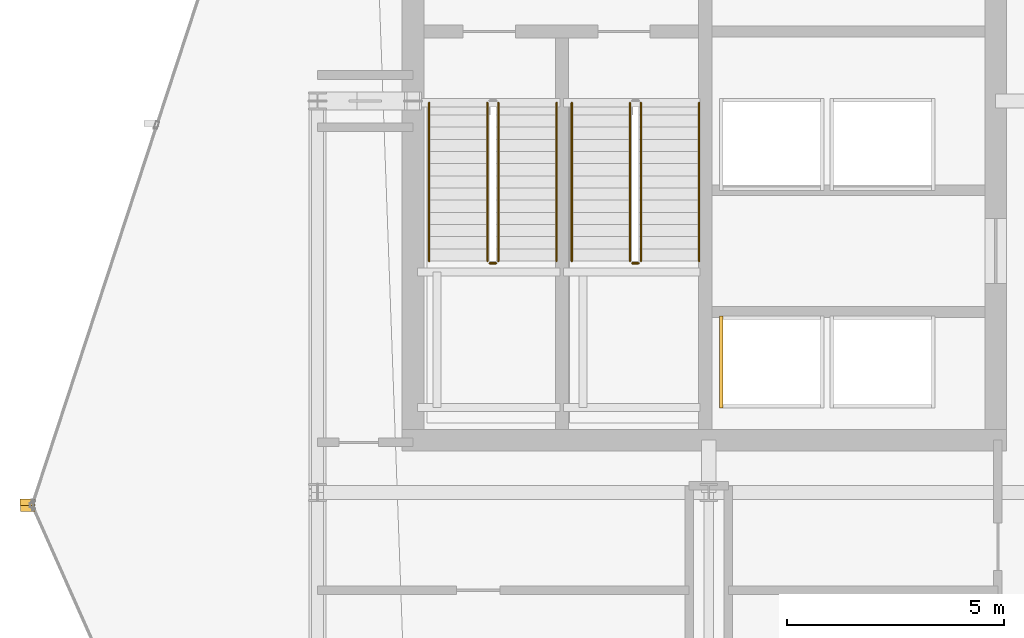
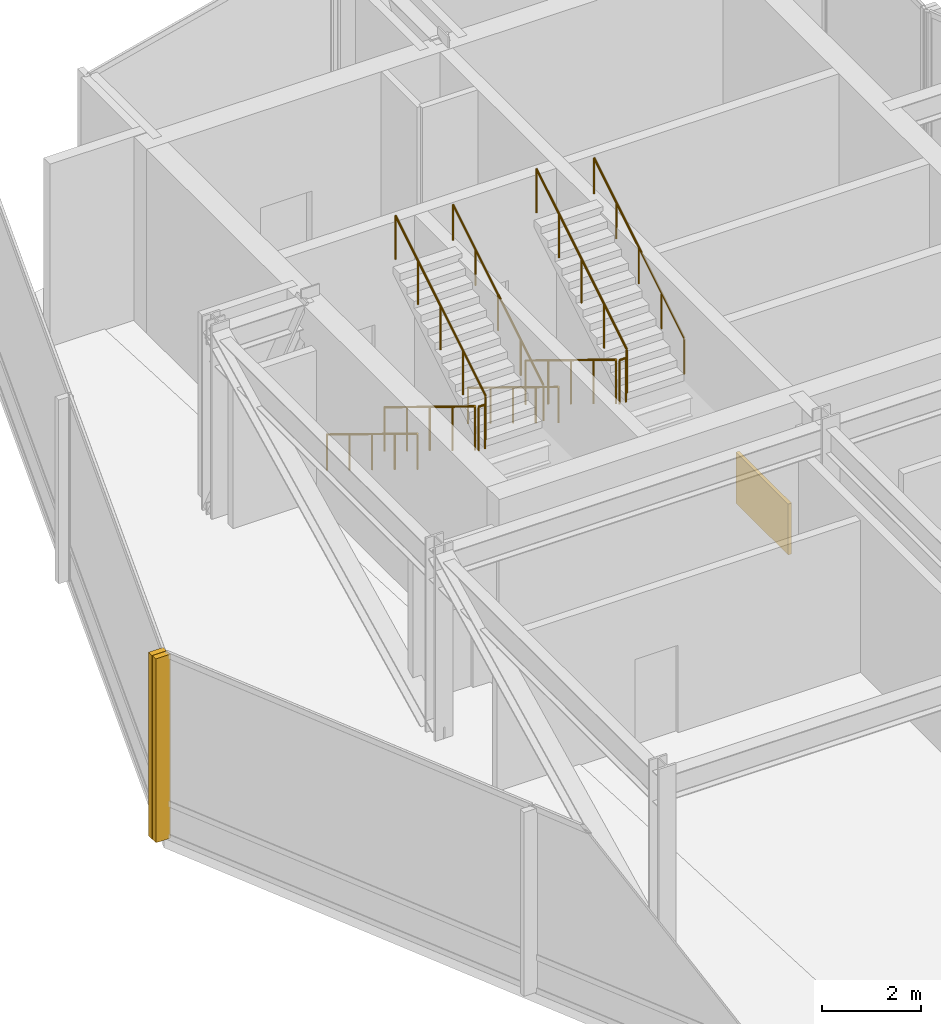
# One storey, part 26 of 30: 10 railings, 2 shading devices, 1 covering.
"""IFC4 building model written with IfcOpenShell, lengths in metres."""

from ifc_helpers import new_model, si_unit, direction, frame, origin, origin_2d, place, context, subcontext, project, spatial, rectangle, circle, extrude, material, layer, layer_set, type_object, element, save


model = new_model("IFC4")

# Units and contexts
model_context = context("Model", 3, precision=1e-05, world=origin(), true_north=direction((0.0, 1.0)))
body_context = subcontext(model_context, "Body", "Model", "MODEL_VIEW")
ifc_project = project(units=[si_unit("LENGTHUNIT", "METRE"), si_unit("AREAUNIT", "SQUARE_METRE"), si_unit("VOLUMEUNIT", "CUBIC_METRE"), si_unit("PLANEANGLEUNIT", "RADIAN"), si_unit("MASSUNIT", "GRAM", prefix="KILO")], contexts=[model_context])

# Site, building, storey
site_placement = place(None, origin())
site = spatial("IfcSite", under=ifc_project, at=site_placement, CompositionType="ELEMENT")
building_placement = place(site_placement, origin())
building = spatial("IfcBuilding", under=site, at=building_placement, Name="Solvaryn Broadcast Tower", CompositionType="ELEMENT")
storey_placement = place(building_placement, frame((0.0, 0.0, 196.39990234375)))
storey = spatial("IfcBuildingStorey", under=building, at=storey_placement, Name="L49", CompositionType="ELEMENT", Elevation=196.39990234375)

# Covering
ifc_material_1 = material(Name="Fire-Rated Gypsum Shaftwall Liner", Category="concrete")
ifc_layer = layer(ifc_material_1, 0.080078125)
ifc_layer_set = layer_set([ifc_layer], Name="CV-SHAFT-LINER")
covering_type = type_object("IfcCoveringType", Name="CV-SHAFT-LINER", PredefinedType="CLADDING", material=ifc_layer_set)
covering_placement = place(storey_placement, frame((18.284912109375, 30.0, 0.0), z_axis=(0.0, 0.0, 1.0), x_axis=(1.0, 0.0, 0.0)))
element("IfcCovering", 1, at=covering_placement, inside=storey, type_object=covering_type, Name="L49 PH1 Hoistway Shaft Liner West", PredefinedType="CLADDING", context=body_context, shape_type="SweptSolid", body=[
    extrude(rectangle(XDim=0.080078125, YDim=2.110107421875, at=origin_2d()), origin(), (0.0, 0.0, 1.0), 1.25),
])

# Railings
ifc_material_2 = material(Name="Painted Steel Stair Well Guard", Category="steel")
railing_type_1 = type_object("IfcRailingType", Name="RL-STAIR-GUARD", PredefinedType="BALUSTRADE", material=ifc_material_2)
railing_1_placement = place(storey_placement, frame((12.909912109375, 35.9599609375, 0.171630859375)))
element("IfcRailing", 2, at=railing_1_placement, inside=storey, type_object=railing_type_1, Name="L49 ST1 stair guard 1", PredefinedType="BALUSTRADE", context=body_context, shape_type="SweptSolid", body=[
    extrude(circle(Radius=0.02392578125, at=origin_2d()), frame((0.0, 0.0, 1.076171875), z_axis=(0.0, -0.852850264322, 0.5221555579), x_axis=(1.0, 0.0, 0.0)), (0.0, 0.0, 1.0), 4.267822265625),
    extrude(circle(Radius=0.02099609375, at=origin_2d()), origin(), (0.0, 0.0, 1.0), 1.052001953125),
    extrude(circle(Radius=0.02099609375, at=origin_2d()), frame((0.0, -0.909912109375, 0.55712890625)), (0.0, 0.0, 1.0), 1.052001953125),
    extrude(circle(Radius=0.02099609375, at=origin_2d()), frame((0.0, -1.81982421875, 1.1142578125)), (0.0, 0.0, 1.0), 1.052001953125),
    extrude(circle(Radius=0.02099609375, at=origin_2d()), frame((0.0, -2.72998046875, 1.67138671875)), (0.0, 0.0, 1.0), 1.052001953125),
    extrude(circle(Radius=0.02099609375, at=origin_2d()), frame((0.0, -3.639892578125, 2.228515625)), (0.0, 0.0, 1.0), 1.052001953125),
])
railing_2_placement = place(storey_placement, frame((12.9599609375, 32.27001953125, 2.400146484375)))
element("IfcRailing", 3, at=railing_2_placement, inside=storey, type_object=railing_type_1, Name="L49 ST1 stair guard 2", PredefinedType="BALUSTRADE", context=body_context, shape_type="SweptSolid", body=[
    extrude(circle(Radius=0.02392578125, at=origin_2d()), frame((0.0, 0.0, 1.076171875), z_axis=(1.0, 0.0, 0.0), x_axis=(0.0, 1.0, 0.0)), (0.0, 0.0, 1.0), 0.150146484375),
    extrude(circle(Radius=0.02099609375, at=origin_2d()), origin(), (0.0, 0.0, 1.0), 1.052001953125),
    extrude(circle(Radius=0.02099609375, at=origin_2d()), frame((0.150146484375, 0.0, 0.0)), (0.0, 0.0, 1.0), 1.052001953125),
])
railing_3_placement = place(storey_placement, frame((13.159912109375, 32.320068359375, 2.571533203125)))
element("IfcRailing", 4, at=railing_3_placement, inside=storey, type_object=railing_type_1, Name="L49 ST1 stair guard 3", PredefinedType="BALUSTRADE", context=body_context, shape_type="SweptSolid", body=[
    extrude(circle(Radius=0.02392578125, at=origin_2d()), frame((0.0, 0.0, 1.076171875), z_axis=(0.0, 0.852850264322, 0.5221555579), x_axis=(-1.0, 0.0, 0.0)), (0.0, 0.0, 1.0), 4.267822265625),
    extrude(circle(Radius=0.02099609375, at=origin_2d()), origin(), (0.0, 0.0, 1.0), 1.052001953125),
    extrude(circle(Radius=0.02099609375, at=origin_2d()), frame((0.0, 0.909912109375, 0.55712890625)), (0.0, 0.0, 1.0), 1.052001953125),
    extrude(circle(Radius=0.02099609375, at=origin_2d()), frame((0.0, 1.81982421875, 1.1142578125)), (0.0, 0.0, 1.0), 1.052001953125),
    extrude(circle(Radius=0.02099609375, at=origin_2d()), frame((0.0, 2.72998046875, 1.67138671875)), (0.0, 0.0, 1.0), 1.052001953125),
    extrude(circle(Radius=0.02099609375, at=origin_2d()), frame((0.0, 3.639892578125, 2.228515625)), (0.0, 0.0, 1.0), 1.052001953125),
])
railing_4_placement = place(storey_placement, frame((16.18994140625, 35.9599609375, 0.171630859375)))
element("IfcRailing", 5, at=railing_4_placement, inside=storey, type_object=railing_type_1, Name="L49 ST2 stair guard 1", PredefinedType="BALUSTRADE", context=body_context, shape_type="SweptSolid", body=[
    extrude(circle(Radius=0.02392578125, at=origin_2d()), frame((0.0, 0.0, 1.076171875), z_axis=(0.0, -0.852850264322, 0.5221555579), x_axis=(1.0, 0.0, 0.0)), (0.0, 0.0, 1.0), 4.267822265625),
    extrude(circle(Radius=0.02099609375, at=origin_2d()), origin(), (0.0, 0.0, 1.0), 1.052001953125),
    extrude(circle(Radius=0.02099609375, at=origin_2d()), frame((0.0, -0.909912109375, 0.55712890625)), (0.0, 0.0, 1.0), 1.052001953125),
    extrude(circle(Radius=0.02099609375, at=origin_2d()), frame((0.0, -1.81982421875, 1.1142578125)), (0.0, 0.0, 1.0), 1.052001953125),
    extrude(circle(Radius=0.02099609375, at=origin_2d()), frame((0.0, -2.72998046875, 1.67138671875)), (0.0, 0.0, 1.0), 1.052001953125),
    extrude(circle(Radius=0.02099609375, at=origin_2d()), frame((0.0, -3.639892578125, 2.228515625)), (0.0, 0.0, 1.0), 1.052001953125),
])
railing_5_placement = place(storey_placement, frame((16.239990234375, 32.27001953125, 2.400146484375)))
element("IfcRailing", 6, at=railing_5_placement, inside=storey, type_object=railing_type_1, Name="L49 ST2 stair guard 2", PredefinedType="BALUSTRADE", context=body_context, shape_type="SweptSolid", body=[
    extrude(circle(Radius=0.02392578125, at=origin_2d()), frame((0.0, 0.0, 1.076171875), z_axis=(1.0, 0.0, 0.0), x_axis=(0.0, 1.0, 0.0)), (0.0, 0.0, 1.0), 0.14990234375),
    extrude(circle(Radius=0.02099609375, at=origin_2d()), origin(), (0.0, 0.0, 1.0), 1.052001953125),
    extrude(circle(Radius=0.02099609375, at=origin_2d()), frame((0.14990234375, 0.0, 0.0)), (0.0, 0.0, 1.0), 1.052001953125),
])
railing_6_placement = place(storey_placement, frame((16.43994140625, 32.320068359375, 2.571533203125)))
element("IfcRailing", 7, at=railing_6_placement, inside=storey, type_object=railing_type_1, Name="L49 ST2 stair guard 3", PredefinedType="BALUSTRADE", context=body_context, shape_type="SweptSolid", body=[
    extrude(circle(Radius=0.02392578125, at=origin_2d()), frame((0.0, 0.0, 1.076171875), z_axis=(0.0, 0.852850264322, 0.5221555579), x_axis=(-1.0, 0.0, 0.0)), (0.0, 0.0, 1.0), 4.267822265625),
    extrude(circle(Radius=0.02099609375, at=origin_2d()), origin(), (0.0, 0.0, 1.0), 1.052001953125),
    extrude(circle(Radius=0.02099609375, at=origin_2d()), frame((0.0, 0.909912109375, 0.55712890625)), (0.0, 0.0, 1.0), 1.052001953125),
    extrude(circle(Radius=0.02099609375, at=origin_2d()), frame((0.0, 1.81982421875, 1.1142578125)), (0.0, 0.0, 1.0), 1.052001953125),
    extrude(circle(Radius=0.02099609375, at=origin_2d()), frame((0.0, 2.72998046875, 1.67138671875)), (0.0, 0.0, 1.0), 1.052001953125),
    extrude(circle(Radius=0.02099609375, at=origin_2d()), frame((0.0, 3.639892578125, 2.228515625)), (0.0, 0.0, 1.0), 1.052001953125),
])
ifc_material_3 = material(Name="Brushed Stainless Steel Tubular Handrail", Category="steel")
railing_type_2 = type_object("IfcRailingType", Name="RL-STAIR-HANDRAIL", PredefinedType="HANDRAIL", material=ifc_material_3)
railing_7_placement = place(storey_placement, frame((11.570068359375, 35.9599609375, 0.171630859375)))
element("IfcRailing", 8, at=railing_7_placement, inside=storey, type_object=railing_type_2, Name="L49 ST1 stair handrail 1", PredefinedType="HANDRAIL", context=body_context, shape_type="SweptSolid", body=[
    extrude(circle(Radius=0.02392578125, at=origin_2d()), frame((0.0, 0.0, 0.8759765625), z_axis=(0.0, -0.852850264322, 0.5221555579), x_axis=(1.0, 0.0, 0.0)), (0.0, 0.0, 1.0), 4.267822265625),
    extrude(circle(Radius=0.02099609375, at=origin_2d()), origin(), (0.0, 0.0, 1.0), 0.851806640625),
    extrude(circle(Radius=0.02099609375, at=origin_2d()), frame((0.0, -0.909912109375, 0.55712890625)), (0.0, 0.0, 1.0), 0.851806640625),
    extrude(circle(Radius=0.02099609375, at=origin_2d()), frame((0.0, -1.81982421875, 1.1142578125)), (0.0, 0.0, 1.0), 0.851806640625),
    extrude(circle(Radius=0.02099609375, at=origin_2d()), frame((0.0, -2.72998046875, 1.67138671875)), (0.0, 0.0, 1.0), 0.851806640625),
    extrude(circle(Radius=0.02099609375, at=origin_2d()), frame((0.0, -3.639892578125, 2.228515625)), (0.0, 0.0, 1.0), 0.851806640625),
])
railing_8_placement = place(storey_placement, frame((14.5, 32.320068359375, 2.571533203125)))
element("IfcRailing", 9, at=railing_8_placement, inside=storey, type_object=railing_type_2, Name="L49 ST1 stair handrail 2", PredefinedType="HANDRAIL", context=body_context, shape_type="SweptSolid", body=[
    extrude(circle(Radius=0.02392578125, at=origin_2d()), frame((0.0, 0.0, 0.8759765625), z_axis=(0.0, 0.852850264322, 0.5221555579), x_axis=(-1.0, 0.0, 0.0)), (0.0, 0.0, 1.0), 4.267822265625),
    extrude(circle(Radius=0.02099609375, at=origin_2d()), origin(), (0.0, 0.0, 1.0), 0.851806640625),
    extrude(circle(Radius=0.02099609375, at=origin_2d()), frame((0.0, 0.909912109375, 0.55712890625)), (0.0, 0.0, 1.0), 0.851806640625),
    extrude(circle(Radius=0.02099609375, at=origin_2d()), frame((0.0, 1.81982421875, 1.1142578125)), (0.0, 0.0, 1.0), 0.851806640625),
    extrude(circle(Radius=0.02099609375, at=origin_2d()), frame((0.0, 2.72998046875, 1.67138671875)), (0.0, 0.0, 1.0), 0.851806640625),
    extrude(circle(Radius=0.02099609375, at=origin_2d()), frame((0.0, 3.639892578125, 2.228515625)), (0.0, 0.0, 1.0), 0.851806640625),
])
railing_9_placement = place(storey_placement, frame((14.85009765625, 35.9599609375, 0.171630859375)))
element("IfcRailing", 10, at=railing_9_placement, inside=storey, type_object=railing_type_2, Name="L49 ST2 stair handrail 1", PredefinedType="HANDRAIL", context=body_context, shape_type="SweptSolid", body=[
    extrude(circle(Radius=0.02392578125, at=origin_2d()), frame((0.0, 0.0, 0.8759765625), z_axis=(0.0, -0.852850264322, 0.5221555579), x_axis=(1.0, 0.0, 0.0)), (0.0, 0.0, 1.0), 4.267822265625),
    extrude(circle(Radius=0.02099609375, at=origin_2d()), origin(), (0.0, 0.0, 1.0), 0.851806640625),
    extrude(circle(Radius=0.02099609375, at=origin_2d()), frame((0.0, -0.909912109375, 0.55712890625)), (0.0, 0.0, 1.0), 0.851806640625),
    extrude(circle(Radius=0.02099609375, at=origin_2d()), frame((0.0, -1.81982421875, 1.1142578125)), (0.0, 0.0, 1.0), 0.851806640625),
    extrude(circle(Radius=0.02099609375, at=origin_2d()), frame((0.0, -2.72998046875, 1.67138671875)), (0.0, 0.0, 1.0), 0.851806640625),
    extrude(circle(Radius=0.02099609375, at=origin_2d()), frame((0.0, -3.639892578125, 2.228515625)), (0.0, 0.0, 1.0), 0.851806640625),
])
railing_10_placement = place(storey_placement, frame((17.780029296875, 32.320068359375, 2.571533203125)))
element("IfcRailing", 11, at=railing_10_placement, inside=storey, type_object=railing_type_2, Name="L49 ST2 stair handrail 2", PredefinedType="HANDRAIL", context=body_context, shape_type="SweptSolid", body=[
    extrude(circle(Radius=0.02392578125, at=origin_2d()), frame((0.0, 0.0, 0.8759765625), z_axis=(0.0, 0.852850264322, 0.5221555579), x_axis=(-1.0, 0.0, 0.0)), (0.0, 0.0, 1.0), 4.267822265625),
    extrude(circle(Radius=0.02099609375, at=origin_2d()), origin(), (0.0, 0.0, 1.0), 0.851806640625),
    extrude(circle(Radius=0.02099609375, at=origin_2d()), frame((0.0, 0.909912109375, 0.55712890625)), (0.0, 0.0, 1.0), 0.851806640625),
    extrude(circle(Radius=0.02099609375, at=origin_2d()), frame((0.0, 1.81982421875, 1.1142578125)), (0.0, 0.0, 1.0), 0.851806640625),
    extrude(circle(Radius=0.02099609375, at=origin_2d()), frame((0.0, 2.72998046875, 1.67138671875)), (0.0, 0.0, 1.0), 0.851806640625),
    extrude(circle(Radius=0.02099609375, at=origin_2d()), frame((0.0, 3.639892578125, 2.228515625)), (0.0, 0.0, 1.0), 0.851806640625),
])

# Shading devices
ifc_material_4 = material(Name="Anodised Aluminium Acoustic Louvre", Category="aluminium")
shading_device_type = type_object("IfcShadingDeviceType", Name="LV-01 Plant Intake Louvre", PredefinedType="USERDEFINED", material=ifc_material_4)
for number, where, z_axis, x_axis, name in (
    (12, (2.328369140625, 26.77197265625, 0.0), (0.0, 0.0, 1.0), (1.0, 0.0, 0.0), "L49 Plant Acoustic Louvre LV-CW-L49-DR1/M02"),
    (13, (2.335693359375, 26.630126953125, 0.0), (0.0, 0.0, 1.0), (1.0, 0.0, 0.0), "L49 Plant Acoustic Louvre LV-CW-L49-DR2/M00"),
):
    element("IfcShadingDevice", number, at=place(storey_placement, frame(where, z_axis=z_axis, x_axis=x_axis)), inside=storey, type_object=shading_device_type, Name=name, ObjectType="LOUVRE", PredefinedType="USERDEFINED", context=body_context, shape_type="SweptSolid", body=[
        extrude(rectangle(XDim=0.340087890625, YDim=0.139892578125, at=origin_2d()), origin(), (0.0, 0.0, 1.0), 4.52001953125),
    ])

save(model, "model.ifc")
